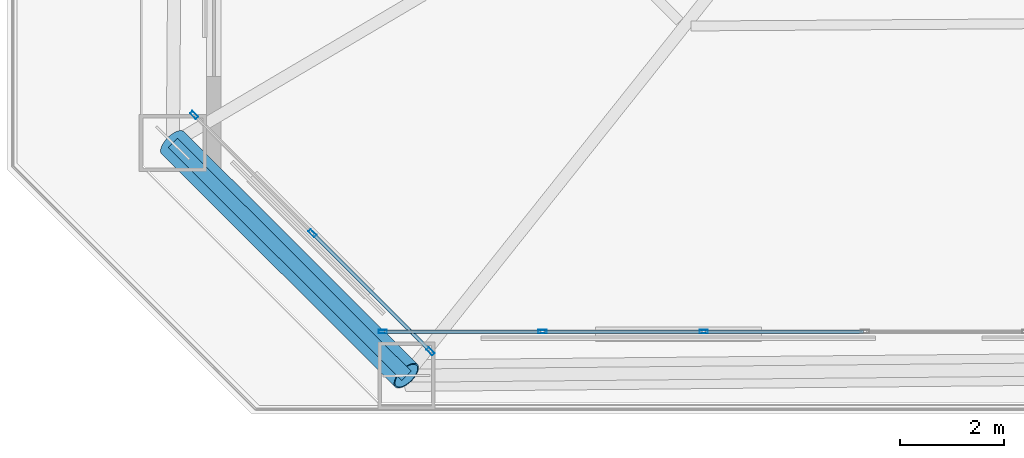
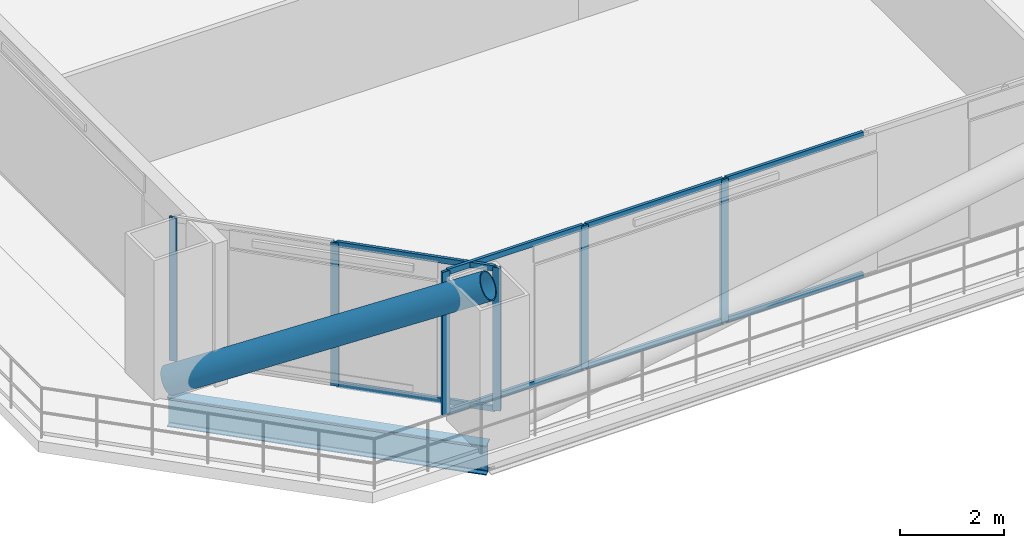
# One storey, part 2 of 34: 15 members, 1 beam, 2 elements without a shape of their own.
"""IFC4 building model written with IfcOpenShell, lengths in metres."""

from ifc_helpers import new_model, si_unit, direction, frame, origin, origin_2d, place, context, subcontext, project, spatial, hollow_rectangle, hollow_circle, i_section, extrude, material, layer, layer_set, material_profile, profile_set, type_object, element, aggregate, save


model = new_model("IFC4")

# Units and contexts
model_context = context("Model", 3, precision=1e-05, world=origin(), true_north=direction((0.0, 1.0)))
body_context = subcontext(model_context, "Body", "Model", "MODEL_VIEW")
ifc_project = project(units=[si_unit("LENGTHUNIT", "METRE"), si_unit("AREAUNIT", "SQUARE_METRE"), si_unit("VOLUMEUNIT", "CUBIC_METRE"), si_unit("PLANEANGLEUNIT", "RADIAN"), si_unit("MASSUNIT", "GRAM", prefix="KILO")], contexts=[model_context])

# Site, building, storey
site_placement = place(None, origin())
site = spatial("IfcSite", under=ifc_project, at=site_placement, CompositionType="ELEMENT")
building_placement = place(site_placement, origin())
building = spatial("IfcBuilding", under=site, at=building_placement, Name="Caelvoria Tower", CompositionType="ELEMENT")
storey_placement = place(building_placement, frame((0.0, 0.0, 28.0)))
storey = spatial("IfcBuildingStorey", under=building, at=storey_placement, Name="L06", CompositionType="ELEMENT", Elevation=28.0)

# Curtain wall, members
ifc_material_1 = material(Name="Anodised Bronze Aluminium and Low-E Glass", Category="aluminium")
ifc_layer = layer(ifc_material_1, 0.18505859375, Name="Anodised Bronze Aluminium and Low-E Glass")
ifc_layer_set = layer_set([ifc_layer], Name="CW System 2 Lower Tower Bronze Unitised Facade - Anodised Bronze Aluminium and Low-E Glass")
curtain_wall_type = type_object("IfcCurtainWallType", Name="CW System 2 Lower Tower Bronze Unitised Facade", PredefinedType="NOTDEFINED", material=ifc_layer_set)
curtain_wall_1_placement = place(storey_placement, origin())
curtain_wall_1 = element("IfcCurtainWall", 1, at=curtain_wall_1_placement, inside=storey, type_object=curtain_wall_type, Name="CW-02 Curtain Wall L06-E0", PredefinedType="NOTDEFINED")
ifc_material_2 = material(Name="Anodised Bronze Architectural Aluminium", Category="aluminium")
ifc_material_profile_1 = material_profile(ifc_material_2, hollow_rectangle(XDim=0.06494140625, YDim=0.159912109375, WallThickness=0.00390625, at=origin_2d()), Name="Anodised Bronze Architectural Aluminium")
ifc_profile_set_1 = profile_set([ifc_material_profile_1], Name="CW_MULL_65X160 - Anodised Bronze Architectural Aluminium")
member_type_1 = type_object("IfcMemberType", Name="Curtain Wall Mullion 65x160 Bronze Aluminium", PredefinedType="MULLION", material=ifc_profile_set_1)
member_1_placement = place(storey_placement, frame((25.83251953125, 11.3798828125, 0.0), z_axis=(0.0, 0.0, 1.0), x_axis=(0.0, 1.0, 0.0)))
member_1 = element("IfcMember", 2, at=member_1_placement, type_object=member_type_1, Name="CW-02 mullion 1", PredefinedType="MULLION", context=body_context, shape_type="SweptSolid", body=[
    extrude(hollow_rectangle(XDim=0.06494140625, YDim=0.159912109375, WallThickness=0.00390625, at=origin_2d()), origin(), (0.0, 0.0, 1.0), 3.360107421875),
])
member_2_placement = place(storey_placement, frame((28.90771484375, 11.3798828125, 0.0), z_axis=(0.0, 0.0, 1.0), x_axis=(0.0, 1.0, 0.0)))
member_2 = element("IfcMember", 3, at=member_2_placement, type_object=member_type_1, Name="CW-02 mullion 2", PredefinedType="MULLION", context=body_context, shape_type="SweptSolid", body=[
    extrude(hollow_rectangle(XDim=0.06494140625, YDim=0.159912109375, WallThickness=0.00390625, at=origin_2d()), origin(), (0.0, 0.0, 1.0), 3.360107421875),
])
member_3_placement = place(storey_placement, frame((32.015380859375, 11.3798828125, 0.0), z_axis=(0.0, 0.0, 1.0), x_axis=(0.0, 1.0, 0.0)))
member_3 = element("IfcMember", 4, at=member_3_placement, type_object=member_type_1, Name="CW-02 mullion 3", PredefinedType="MULLION", context=body_context, shape_type="SweptSolid", body=[
    extrude(hollow_rectangle(XDim=0.06494140625, YDim=0.159912109375, WallThickness=0.00390625, at=origin_2d()), origin(), (0.0, 0.0, 1.0), 3.360107421875),
])

curtain_wall_2_placement = place(storey_placement, origin())
curtain_wall_2 = element("IfcCurtainWall", 5, at=curtain_wall_2_placement, inside=storey, type_object=curtain_wall_type, Name="CW-02 Curtain Wall L06-E7", PredefinedType="NOTDEFINED")
member_4_placement = place(storey_placement, frame((22.19873046875, 15.552734375, 0.0), z_axis=(0.0, 0.0, 1.0), x_axis=(0.707106781187, 0.707106781187, 0.0)))
member_4 = element("IfcMember", 6, at=member_4_placement, type_object=member_type_1, Name="CW-02 mullion 1", PredefinedType="MULLION", context=body_context, shape_type="SweptSolid", body=[
    extrude(hollow_rectangle(XDim=0.06494140625, YDim=0.159912109375, WallThickness=0.00390625, at=origin_2d()), origin(), (0.0, 0.0, 1.0), 3.360107421875),
])
member_5_placement = place(storey_placement, frame((24.475830078125, 13.27587890625, 0.0), z_axis=(0.0, 0.0, 1.0), x_axis=(0.707106781187, 0.707106781187, 0.0)))
member_5 = element("IfcMember", 7, at=member_5_placement, type_object=member_type_1, Name="CW-02 mullion 2", PredefinedType="MULLION", context=body_context, shape_type="SweptSolid", body=[
    extrude(hollow_rectangle(XDim=0.06494140625, YDim=0.159912109375, WallThickness=0.00390625, at=origin_2d()), origin(), (0.0, 0.0, 1.0), 3.360107421875),
])
member_6_placement = place(storey_placement, frame((26.7529296875, 10.998779296875, 0.0), z_axis=(0.0, 0.0, 1.0), x_axis=(0.707106781187, 0.707106781187, 0.0)))
member_6 = element("IfcMember", 8, at=member_6_placement, type_object=member_type_1, Name="CW-02 mullion 3", PredefinedType="MULLION", context=body_context, shape_type="SweptSolid", body=[
    extrude(hollow_rectangle(XDim=0.06494140625, YDim=0.159912109375, WallThickness=0.00390625, at=origin_2d()), origin(), (0.0, 0.0, 1.0), 3.360107421875),
])

# Member
ifc_material_profile_2 = material_profile(ifc_material_2, hollow_rectangle(XDim=0.06494140625, YDim=0.1298828125, WallThickness=0.00341796875, at=origin_2d()), Name="Anodised Bronze Architectural Aluminium")
ifc_profile_set_2 = profile_set([ifc_material_profile_2], Name="CW_TRAN_65X130 - Anodised Bronze Architectural Aluminium")
member_type_2 = type_object("IfcMemberType", Name="Curtain Wall Transom 65x130 Bronze Aluminium", PredefinedType="USERDEFINED", material=ifc_profile_set_2)
member_7_placement = place(storey_placement, frame((25.864990234375, 11.3798828125, 0.032470703125), z_axis=(1.0, 0.0, 0.0), x_axis=(0.0, 1.0, 0.0)))
member_7 = element("IfcMember", 9, at=member_7_placement, type_object=member_type_2, Name="CW-02 transom 1.1", ObjectType="TRANSOM", PredefinedType="USERDEFINED", context=body_context, shape_type="SweptSolid", body=[
    extrude(hollow_rectangle(XDim=0.06494140625, YDim=0.1298828125, WallThickness=0.00341796875, at=origin_2d()), origin(), (0.0, 0.0, 1.0), 3.01025390625),
])

member_8_placement = place(storey_placement, frame((25.864990234375, 11.3798828125, 3.327392578125), z_axis=(1.0, 0.0, 0.0), x_axis=(0.0, 1.0, 0.0)))
member_8 = element("IfcMember", 10, at=member_8_placement, type_object=member_type_2, Name="CW-02 transom 1.2", ObjectType="TRANSOM", PredefinedType="USERDEFINED", context=body_context, shape_type="SweptSolid", body=[
    extrude(hollow_rectangle(XDim=0.06494140625, YDim=0.1298828125, WallThickness=0.00341796875, at=origin_2d()), origin(), (0.0, 0.0, 1.0), 3.01025390625),
])

member_9_placement = place(storey_placement, frame((28.940185546875, 11.3798828125, 0.032470703125), z_axis=(1.0, 0.0, 0.0), x_axis=(0.0, 1.0, 0.0)))
member_9 = element("IfcMember", 11, at=member_9_placement, type_object=member_type_2, Name="CW-02 transom 2.1", ObjectType="TRANSOM", PredefinedType="USERDEFINED", context=body_context, shape_type="SweptSolid", body=[
    extrude(hollow_rectangle(XDim=0.06494140625, YDim=0.1298828125, WallThickness=0.00341796875, at=origin_2d()), origin(), (0.0, 0.0, 1.0), 3.042724609375),
])

member_10_placement = place(storey_placement, frame((28.940185546875, 11.3798828125, 3.327392578125), z_axis=(1.0, 0.0, 0.0), x_axis=(0.0, 1.0, 0.0)))
member_10 = element("IfcMember", 12, at=member_10_placement, type_object=member_type_2, Name="CW-02 transom 2.2", ObjectType="TRANSOM", PredefinedType="USERDEFINED", context=body_context, shape_type="SweptSolid", body=[
    extrude(hollow_rectangle(XDim=0.06494140625, YDim=0.1298828125, WallThickness=0.00341796875, at=origin_2d()), origin(), (0.0, 0.0, 1.0), 3.042724609375),
])

member_11_placement = place(storey_placement, frame((32.0478515625, 11.3798828125, 0.032470703125), z_axis=(1.0, 0.0, 0.0), x_axis=(0.0, 1.0, 0.0)))
member_11 = element("IfcMember", 13, at=member_11_placement, type_object=member_type_2, Name="CW-02 transom 3.1", ObjectType="TRANSOM", PredefinedType="USERDEFINED", context=body_context, shape_type="SweptSolid", body=[
    extrude(hollow_rectangle(XDim=0.06494140625, YDim=0.1298828125, WallThickness=0.00341796875, at=origin_2d()), origin(), (0.0, 0.0, 1.0), 3.042724609375),
])

member_12_placement = place(storey_placement, frame((32.0478515625, 11.3798828125, 3.327392578125), z_axis=(1.0, 0.0, 0.0), x_axis=(0.0, 1.0, 0.0)))
member_12 = element("IfcMember", 14, at=member_12_placement, type_object=member_type_2, Name="CW-02 transom 3.2", ObjectType="TRANSOM", PredefinedType="USERDEFINED", context=body_context, shape_type="SweptSolid", body=[
    extrude(hollow_rectangle(XDim=0.06494140625, YDim=0.1298828125, WallThickness=0.00341796875, at=origin_2d()), origin(), (0.0, 0.0, 1.0), 3.042724609375),
])

aggregate(curtain_wall_1, [member_1, member_2, member_3, member_7, member_8, member_9, member_10, member_11, member_12])

member_13_placement = place(storey_placement, frame((24.498779296875, 13.2529296875, 0.032470703125), z_axis=(0.707068091789, -0.707145468468, 0.0), x_axis=(0.707145468468, 0.707068091789, 0.0)))
member_13 = element("IfcMember", 15, at=member_13_placement, type_object=member_type_2, Name="CW-02 transom 2.1", ObjectType="TRANSOM", PredefinedType="USERDEFINED", context=body_context, shape_type="SweptSolid", body=[
    extrude(hollow_rectangle(XDim=0.06494140625, YDim=0.1298828125, WallThickness=0.00341796875, at=origin_2d()), origin(), (0.0, 0.0, 1.0), 3.1552734375),
])

member_14_placement = place(storey_placement, frame((24.498779296875, 13.2529296875, 3.327392578125), z_axis=(0.707068091789, -0.707145468468, 0.0), x_axis=(0.707145468468, 0.707068091789, 0.0)))
member_14 = element("IfcMember", 16, at=member_14_placement, type_object=member_type_2, Name="CW-02 transom 2.2", ObjectType="TRANSOM", PredefinedType="USERDEFINED", context=body_context, shape_type="SweptSolid", body=[
    extrude(hollow_rectangle(XDim=0.06494140625, YDim=0.1298828125, WallThickness=0.00341796875, at=origin_2d()), origin(), (0.0, 0.0, 1.0), 3.1552734375),
])

aggregate(curtain_wall_2, [member_4, member_5, member_6, member_13, member_14])

ifc_material_3 = material(Name="Structural Steel ASTM A572 Gr.50", Category="steel")
ifc_material_profile_3 = material_profile(ifc_material_3, hollow_circle(Radius=0.304931640625, WallThickness=0.02490234375, at=origin_2d()), Name="Structural Steel ASTM A572 Gr.50")
ifc_profile_set_3 = profile_set([ifc_material_profile_3], Name="CHS610X25 - Structural Steel ASTM A572 Gr.50")
member_type_3 = type_object("IfcMemberType", Name="Lower Perimeter Mega Brace CHS610X25", PredefinedType="BRACE", material=ifc_profile_set_3)
member_15_placement = place(storey_placement, frame((21.789306640625, 15.013427734375, 0.0), z_axis=(0.626042587812, -0.623969711632, 0.467688440322), x_axis=(0.705933226257, 0.708278391642, 0.0)))
element("IfcMember", 17, at=member_15_placement, inside=storey, type_object=member_type_3, Name="Perimeter Chamfer Mega Brace L06 SW", PredefinedType="BRACE", context=body_context, shape_type="SweptSolid", body=[
    extrude(hollow_circle(Radius=0.304931640625, WallThickness=0.02490234375, at=origin_2d()), origin(), (0.0, 0.0, 1.0), 7.1845703125),
])

# Beam
ifc_material_4 = material(Name="Structural Steel ASTM A992 Gr.50", Category="steel")
ifc_material_profile_4 = material_profile(ifc_material_4, i_section(OverallWidth=0.25390625, OverallDepth=0.68798828125, WebThickness=0.01318359375, FlangeThickness=0.02099609375, FilletRadius=0.01904296875, at=origin_2d()), Name="Structural Steel ASTM A992 Gr.50")
ifc_profile_set_4 = profile_set([ifc_material_profile_4], Name="W690X152 - Structural Steel ASTM A992 Gr.50")
beam_type = type_object("IfcBeamType", Name="Perimeter Spandrel Girder W690X152", PredefinedType="BEAM", material=ifc_profile_set_4)
beam_placement = place(storey_placement, frame((21.789306640625, 15.013427734375, -0.6640625), z_axis=(0.708278391642, -0.705933226257, 0.0), x_axis=(0.705933226257, 0.708278391642, 0.0)))
element("IfcBeam", 18, at=beam_placement, inside=storey, type_object=beam_type, Name="Perimeter Spandrel Girder L06-11", PredefinedType="BEAM", context=body_context, shape_type="SweptSolid", body=[
    extrude(i_section(OverallWidth=0.25390625, OverallDepth=0.68798828125, WebThickness=0.01318359375, FlangeThickness=0.02099609375, FilletRadius=0.01904296875, at=origin_2d()), origin(), (0.0, 0.0, 1.0), 6.350341796875),
])

save(model, "model.ifc")
